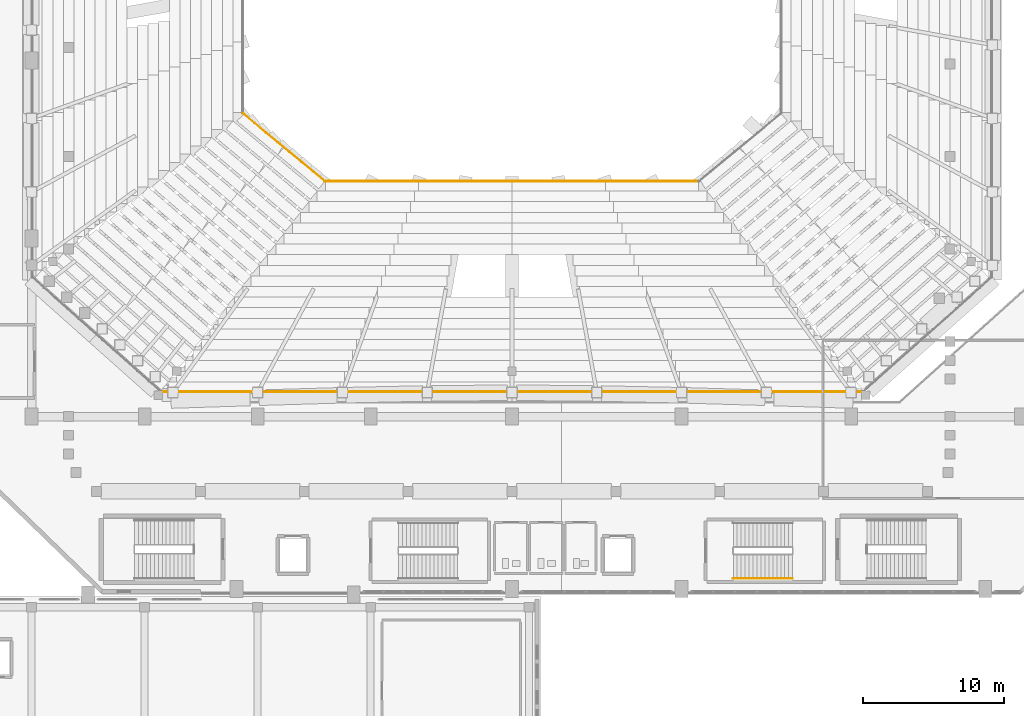
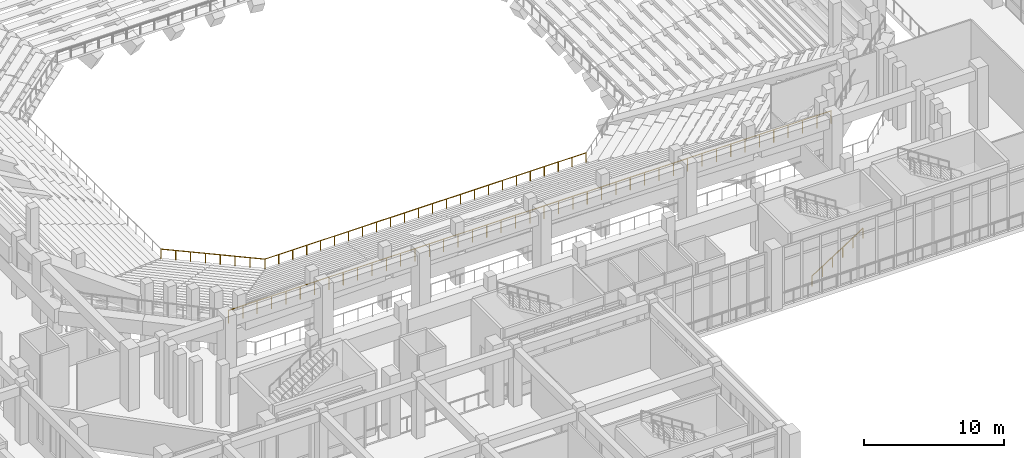
# One storey, part 147 of 159: 4 railings.
"""IFC4 building model written with IfcOpenShell, lengths in metres."""

import ifcopenshell
import ifcopenshell.guid

model = None  # the IFC model being written
_history = None  # IfcOwnerHistory: only IFC2X3 demands one
_inside = {}  # id of a spatial element -> (the spatial element, [elements in it])
_under = {}  # id of a project, library or spatial element -> (it, [spatial elements below it])
_declared = {}  # id of a project -> (the project, [libraries it declares])
_typed = {}  # id of a type object -> (the type object, [elements of that type])
_made_of = {}  # id of a material, layer set ... -> (it, [elements and type objects made of it])


def new_model(schema):
    """Start an empty IFC model of exactly this schema.

    Asked for "IFC4X3", IfcOpenShell would pick the latest addendum, in which some entities
    have other attributes; the version numbers below select the first issue.
    IFC2X3 requires an IfcOwnerHistory on every rooted entity: one is made here for all.
    """
    global model, _history
    if schema == "IFC4X3":
        model = ifcopenshell.file(schema_version=(4, 3, 0, 0))
    else:
        model = ifcopenshell.file(schema=schema)
    _inside.clear()
    _under.clear()
    _declared.clear()
    _typed.clear()
    _made_of.clear()
    _history = None
    if model.schema == "IFC2X3":
        org = make("IfcOrganization", Name="unknown")
        user = make(
            "IfcPersonAndOrganization",
            ThePerson=make("IfcPerson", FamilyName="unknown"),
            TheOrganization=org,
        )
        app = make(
            "IfcApplication",
            ApplicationDeveloper=org,
            Version="unknown",
            ApplicationFullName="unknown",
            ApplicationIdentifier="unknown",
        )
        _history = make(
            "IfcOwnerHistory",
            OwningUser=user,
            OwningApplication=app,
            ChangeAction="ADDED",
            CreationDate=0,
        )
    return model


def make(cls, **values):
    """One entity of the class cls with the attributes given. An attribute that is None is left unset."""
    return model.create_entity(
        cls, **{name: value for name, value in values.items() if value is not None}
    )


def rooted(cls, **values):
    """An entity with a GlobalId (a new one), such as an element, a storey or a relation."""
    return make(cls, GlobalId=ifcopenshell.guid.new(), OwnerHistory=_history, **values)


def si_unit(unit_type, name, prefix=None):
    """IfcSIUnit, for example si_unit("LENGTHUNIT", "METRE", prefix="MILLI")."""
    return make("IfcSIUnit", UnitType=unit_type, Prefix=prefix, Name=name)


def derived_unit(unit_type, elements):
    """IfcDerivedUnit: a product of units, each with its exponent."""
    return make(
        "IfcDerivedUnit",
        Elements=[
            make("IfcDerivedUnitElement", Unit=unit, Exponent=power)
            for unit, power in elements
        ],
        UnitType=unit_type,
    )


def assignment(units):
    """IfcUnitAssignment: the units of a project."""
    return None if units is None else make("IfcUnitAssignment", Units=units)


def point(xyz):
    """IfcCartesianPoint."""
    return None if xyz is None else make("IfcCartesianPoint", Coordinates=xyz)


def direction(xyz):
    """IfcDirection."""
    return None if xyz is None else make("IfcDirection", DirectionRatios=xyz)


def frame(location, z_axis=None, x_axis=None):
    """IfcAxis2Placement3D, a coordinate frame: its origin and axes. An axis left out is left unset."""
    return make(
        "IfcAxis2Placement3D",
        Location=point(location),
        Axis=direction(z_axis),
        RefDirection=direction(x_axis),
    )


def frame_2d(location, x_axis=None):
    """IfcAxis2Placement2D, a coordinate frame in the plane: its origin and x axis."""
    return make(
        "IfcAxis2Placement2D", Location=point(location), RefDirection=direction(x_axis)
    )


def origin():
    """The frame at (0, 0, 0) with its axes left unset."""
    return frame((0.0, 0.0, 0.0))


def origin_2d():
    """The frame at (0, 0) in the plane with its x axis left unset."""
    return frame_2d((0.0, 0.0))


def place(relative_to, where):
    """IfcLocalPlacement: puts the frame where relative to a parent placement (None: the world)."""
    return make(
        "IfcLocalPlacement", PlacementRelTo=relative_to, RelativePlacement=where
    )


def context(
    kind, dimensions, precision=None, world=None, true_north=None, identifier=None
):
    """IfcGeometricRepresentationContext, for example the 3D "Model" context."""
    return make(
        "IfcGeometricRepresentationContext",
        ContextIdentifier=identifier,
        ContextType=kind,
        CoordinateSpaceDimension=dimensions,
        Precision=precision,
        WorldCoordinateSystem=world,
        TrueNorth=true_north,
    )


def subcontext(parent, identifier, kind, view, scale=None):
    """IfcGeometricRepresentationSubContext, for example "Body" below "Model"."""
    return make(
        "IfcGeometricRepresentationSubContext",
        ContextIdentifier=identifier,
        ContextType=kind,
        ParentContext=parent,
        TargetScale=scale,
        TargetView=view,
    )


def project(units=None, contexts=None):
    """IfcProject with its units and contexts."""
    return rooted(
        "IfcProject",
        Name="project",
        RepresentationContexts=contexts,
        UnitsInContext=assignment(units),
    )


def spatial(cls, under=None, at=None, **own):
    """A site, building, storey or space (cls), placed at a placement, below another one or the project."""
    s = rooted(cls, ObjectPlacement=at, **own)
    if under is not None:
        _under.setdefault(under.id(), (under, []))[1].append(s)
    return s


def profile(cls, at=None, kind="AREA", **sizes):
    """A parametric profile (cls). Its sizes go by their IFC names, for example OverallWidth=200.0."""
    return make(cls, ProfileType=kind, Position=at, **sizes)


def circle(**sizes):
    """IfcCircleProfileDef."""
    return profile("IfcCircleProfileDef", **sizes)


def extrude(swept, where, along, depth):
    """IfcExtrudedAreaSolid: the profile swept, set in the frame where, extruded along a direction by depth."""
    return make(
        "IfcExtrudedAreaSolid",
        SweptArea=swept,
        Position=where,
        ExtrudedDirection=direction(along),
        Depth=depth,
    )


def shape(context_of_items, identifier, shape_type, items):
    """IfcShapeRepresentation: the items that make up one representation, for example the "Body"."""
    return make(
        "IfcShapeRepresentation",
        ContextOfItems=context_of_items,
        RepresentationIdentifier=identifier,
        RepresentationType=shape_type,
        Items=items,
    )


def material(Name=None, Category=None):
    """IfcMaterial."""
    return make("IfcMaterial", Name=Name, Category=Category)


def made_of(thing, what):
    """Note that an element or type object is made of a material, layer set ...; save() writes the relation."""
    if what is not None:
        _made_of.setdefault(what.id(), (what, []))[1].append(thing)
    return thing


def type_object(cls, material=None, **own):
    """A type object (cls), such as IfcWallType, which elements share."""
    return made_of(rooted(cls, **own), material)


def element(
    cls,
    number,
    at=None,
    inside=None,
    cuts=None,
    type_object=None,
    material=None,
    context=None,
    identifier="Body",
    shape_type=None,
    held_by="IfcProductDefinitionShape",
    body=None,
    shapes=None,
    **own,
):
    """One element of the class cls, such as IfcWall. Its Tag is "e" and its number.

    at: its placement. inside: the storey or other place that contains it. cuts: it is an
    opening in that element (IfcRelVoidsElement). A single representation is given by context,
    identifier, shape_type and body (its items); several are given by shapes. held_by: the class
    of the entity that holds the representations. save() writes the other relations.
    """
    e = rooted(cls, Tag="e%d" % number, ObjectPlacement=at, **own)
    if body is not None:
        shapes = [shape(context, identifier, shape_type, body)]
    if shapes is not None:
        e.Representation = make(held_by, Representations=shapes)
    if inside is not None:
        _inside.setdefault(inside.id(), (inside, []))[1].append(e)
    if cuts is not None:
        rooted(
            "IfcRelVoidsElement", RelatingBuildingElement=cuts, RelatedOpeningElement=e
        )
    if type_object is not None:
        _typed.setdefault(type_object.id(), (type_object, []))[1].append(e)
    return made_of(e, material)


def aggregate(whole, parts):
    """IfcRelAggregates: a whole, such as a stair, and the parts it consists of."""
    return rooted("IfcRelAggregates", RelatingObject=whole, RelatedObjects=parts)


def save(model, path):
    """Write the relations noted so far, then the file.

    IfcRelAggregates (storeys below a building ...), IfcRelContainedInSpatialStructure (elements
    in a storey), IfcRelDefinesByType, IfcRelAssociatesMaterial and IfcRelDeclares: one each for
    every whole, place, type object, material and project.
    """
    for whole, parts in _under.values():
        aggregate(whole, parts)
    for where, things in _inside.values():
        rooted(
            "IfcRelContainedInSpatialStructure",
            RelatedElements=things,
            RelatingStructure=where,
        )
    for kind, things in _typed.values():
        rooted("IfcRelDefinesByType", RelatedObjects=things, RelatingType=kind)
    for what, things in _made_of.values():
        rooted("IfcRelAssociatesMaterial", RelatedObjects=things, RelatingMaterial=what)
    for by, libraries in _declared.values():
        rooted("IfcRelDeclares", RelatingContext=by, RelatedDefinitions=libraries)
    model.write(path)


model = new_model("IFC4")

# Units and contexts
model_context = context("Model", 3, precision=1e-05, world=origin(), true_north=direction((0.0, 1.0)))
body_context = subcontext(model_context, "Body", "Model", "MODEL_VIEW")
ifc_project = project(units=[si_unit("LENGTHUNIT", "METRE"), si_unit("AREAUNIT", "SQUARE_METRE"), si_unit("VOLUMEUNIT", "CUBIC_METRE"), si_unit("PLANEANGLEUNIT", "RADIAN"), si_unit("MASSUNIT", "GRAM", prefix="KILO"), derived_unit("THERMALTRANSMITTANCEUNIT", [(si_unit("MASSUNIT", "GRAM", prefix="KILO"), 1), (si_unit("TIMEUNIT", "SECOND"), -3), (si_unit("THERMODYNAMICTEMPERATUREUNIT", "KELVIN"), -1)])], contexts=[model_context])

# Site, building, storey
site_placement = place(None, origin())
site = spatial("IfcSite", under=ifc_project, at=site_placement, CompositionType="ELEMENT")
building_placement = place(site_placement, origin())
building = spatial("IfcBuilding", under=site, at=building_placement, Name="Valcora Ridge Arena", CompositionType="ELEMENT")
storey_placement = place(building_placement, frame((0.0, 0.0, 6.0)))
storey = spatial("IfcBuildingStorey", under=building, at=storey_placement, Name="L01", CompositionType="ELEMENT", Elevation=6.0)

# Railings
ifc_material = material(Name="Galvanized painted steel ASTM A500 Grade B", Category="steel")
railing_type_1 = type_object("IfcRailingType", Name="TY-RAILING-BAL-BOWL-850", PredefinedType="BALUSTRADE", material=ifc_material)
railing_1_placement = place(storey_placement, frame((44.75, 49.25, -5.39990234375)))
element("IfcRailing", 1, at=railing_1_placement, inside=storey, type_object=railing_type_1, Name="BAL-BOWL-850 RAL-BW-0001", PredefinedType="BALUSTRADE", context=body_context, shape_type="SweptSolid", body=[
    extrude(circle(Radius=0.02392578125, at=origin_2d()), frame((0.0, 0.0, 0.826171875), z_axis=(1.0, 0.0, 0.0), x_axis=(0.0, 1.0, 0.0)), (0.0, 0.0, 1.0), 26.5),
    extrude(circle(Radius=0.02099609375, at=origin_2d()), origin(), (0.0, 0.0, 1.0), 0.802001953125),
    extrude(circle(Radius=0.02099609375, at=origin_2d()), frame((1.152099609375, 0.0, 0.0)), (0.0, 0.0, 1.0), 0.802001953125),
    extrude(circle(Radius=0.02099609375, at=origin_2d()), frame((2.304443359375, 0.0, 0.0)), (0.0, 0.0, 1.0), 0.802001953125),
    extrude(circle(Radius=0.02099609375, at=origin_2d()), frame((3.45654296875, 0.0, 0.0)), (0.0, 0.0, 1.0), 0.802001953125),
    extrude(circle(Radius=0.02099609375, at=origin_2d()), frame((4.608642578125, 0.0, 0.0)), (0.0, 0.0, 1.0), 0.802001953125),
    extrude(circle(Radius=0.02099609375, at=origin_2d()), frame((5.760986328125, 0.0, 0.0)), (0.0, 0.0, 1.0), 0.802001953125),
    extrude(circle(Radius=0.02099609375, at=origin_2d()), frame((6.9130859375, 0.0, 0.0)), (0.0, 0.0, 1.0), 0.802001953125),
    extrude(circle(Radius=0.02099609375, at=origin_2d()), frame((8.065185546875, 0.0, 0.0)), (0.0, 0.0, 1.0), 0.802001953125),
    extrude(circle(Radius=0.02099609375, at=origin_2d()), frame((9.21728515625, 0.0, 0.0)), (0.0, 0.0, 1.0), 0.802001953125),
    extrude(circle(Radius=0.02099609375, at=origin_2d()), frame((10.36962890625, 0.0, 0.0)), (0.0, 0.0, 1.0), 0.802001953125),
    extrude(circle(Radius=0.02099609375, at=origin_2d()), frame((11.521728515625, 0.0, 0.0)), (0.0, 0.0, 1.0), 0.802001953125),
    extrude(circle(Radius=0.02099609375, at=origin_2d()), frame((12.673828125, 0.0, 0.0)), (0.0, 0.0, 1.0), 0.802001953125),
    extrude(circle(Radius=0.02099609375, at=origin_2d()), frame((13.826171875, 0.0, 0.0)), (0.0, 0.0, 1.0), 0.802001953125),
    extrude(circle(Radius=0.02099609375, at=origin_2d()), frame((14.978271484375, 0.0, 0.0)), (0.0, 0.0, 1.0), 0.802001953125),
    extrude(circle(Radius=0.02099609375, at=origin_2d()), frame((16.13037109375, 0.0, 0.0)), (0.0, 0.0, 1.0), 0.802001953125),
    extrude(circle(Radius=0.02099609375, at=origin_2d()), frame((17.28271484375, 0.0, 0.0)), (0.0, 0.0, 1.0), 0.802001953125),
    extrude(circle(Radius=0.02099609375, at=origin_2d()), frame((18.434814453125, 0.0, 0.0)), (0.0, 0.0, 1.0), 0.802001953125),
    extrude(circle(Radius=0.02099609375, at=origin_2d()), frame((19.5869140625, 0.0, 0.0)), (0.0, 0.0, 1.0), 0.802001953125),
    extrude(circle(Radius=0.02099609375, at=origin_2d()), frame((20.739013671875, 0.0, 0.0)), (0.0, 0.0, 1.0), 0.802001953125),
    extrude(circle(Radius=0.02099609375, at=origin_2d()), frame((21.891357421875, 0.0, 0.0)), (0.0, 0.0, 1.0), 0.802001953125),
    extrude(circle(Radius=0.02099609375, at=origin_2d()), frame((23.04345703125, 0.0, 0.0)), (0.0, 0.0, 1.0), 0.802001953125),
    extrude(circle(Radius=0.02099609375, at=origin_2d()), frame((24.195556640625, 0.0, 0.0)), (0.0, 0.0, 1.0), 0.802001953125),
    extrude(circle(Radius=0.02099609375, at=origin_2d()), frame((25.347900390625, 0.0, 0.0)), (0.0, 0.0, 1.0), 0.802001953125),
    extrude(circle(Radius=0.02099609375, at=origin_2d()), frame((26.5, 0.0, 0.0)), (0.0, 0.0, 1.0), 0.802001953125),
])
railing_2_placement = place(storey_placement, frame((38.949951171875, 54.050048828125, -5.39990234375)))
element("IfcRailing", 2, at=railing_2_placement, inside=storey, type_object=railing_type_1, Name="BAL-BOWL-850 RAL-BW-0008", PredefinedType="BALUSTRADE", context=body_context, shape_type="SweptSolid", body=[
    extrude(circle(Radius=0.02392578125, at=origin_2d()), frame((0.0, 0.0, 0.826171875), z_axis=(0.770393771884, -0.6375683777, 0.0), x_axis=(0.6375683777, 0.770393771884, 0.0)), (0.0, 0.0, 1.0), 7.528564453125),
    extrude(circle(Radius=0.02099609375, at=origin_2d()), origin(), (0.0, 0.0, 1.0), 0.802001953125),
    extrude(circle(Radius=0.02099609375, at=origin_2d()), frame((0.82861328125, -0.685791015625, 0.0)), (0.0, 0.0, 1.0), 0.802001953125),
    extrude(circle(Radius=0.02099609375, at=origin_2d()), frame((1.6572265625, -1.371337890625, 0.0)), (0.0, 0.0, 1.0), 0.802001953125),
    extrude(circle(Radius=0.02099609375, at=origin_2d()), frame((2.48583984375, -2.05712890625, 0.0)), (0.0, 0.0, 1.0), 0.802001953125),
    extrude(circle(Radius=0.02099609375, at=origin_2d()), frame((3.314208984375, -2.742919921875, 0.0)), (0.0, 0.0, 1.0), 0.802001953125),
    extrude(circle(Radius=0.02099609375, at=origin_2d()), frame((4.142822265625, -3.4287109375, 0.0)), (0.0, 0.0, 1.0), 0.802001953125),
    extrude(circle(Radius=0.02099609375, at=origin_2d()), frame((4.971435546875, -4.1142578125, 0.0)), (0.0, 0.0, 1.0), 0.802001953125),
    extrude(circle(Radius=0.02099609375, at=origin_2d()), frame((5.800048828125, -4.800048828125, 0.0)), (0.0, 0.0, 1.0), 0.802001953125),
])
railing_type_2 = type_object("IfcRailingType", Name="TY-RAILING-GRD-VOID-1120", PredefinedType="GUARDRAIL", material=ifc_material)
railing_3_placement = place(storey_placement, frame((33.14990234375, 34.35009765625, 2.9599609375)))
element("IfcRailing", 3, at=railing_3_placement, inside=storey, type_object=railing_type_2, Name="GRD-VOID-1120 RAL-BW-0009", PredefinedType="GUARDRAIL", context=body_context, shape_type="SweptSolid", body=[
    extrude(circle(Radius=0.02392578125, at=origin_2d()), frame((0.0, 0.0, 1.09619140625), z_axis=(1.0, 0.0, 0.0), x_axis=(0.0, 1.0, 0.0)), (0.0, 0.0, 1.0), 49.7001953125),
    extrude(circle(Radius=0.02099609375, at=origin_2d()), origin(), (0.0, 0.0, 1.0), 1.072021484375),
    extrude(circle(Radius=0.02099609375, at=origin_2d()), frame((1.183349609375, 0.0, 0.0)), (0.0, 0.0, 1.0), 1.072021484375),
    extrude(circle(Radius=0.02099609375, at=origin_2d()), frame((2.36669921875, 0.0, 0.0)), (0.0, 0.0, 1.0), 1.072021484375),
    extrude(circle(Radius=0.02099609375, at=origin_2d()), frame((3.550048828125, 0.0, 0.0)), (0.0, 0.0, 1.0), 1.072021484375),
    extrude(circle(Radius=0.02099609375, at=origin_2d()), frame((4.7333984375, 0.0, 0.0)), (0.0, 0.0, 1.0), 1.072021484375),
    extrude(circle(Radius=0.02099609375, at=origin_2d()), frame((5.916748046875, 0.0, 0.0)), (0.0, 0.0, 1.0), 1.072021484375),
    extrude(circle(Radius=0.02099609375, at=origin_2d()), frame((7.10009765625, 0.0, 0.0)), (0.0, 0.0, 1.0), 1.072021484375),
    extrude(circle(Radius=0.02099609375, at=origin_2d()), frame((8.283447265625, 0.0, 0.0)), (0.0, 0.0, 1.0), 1.072021484375),
    extrude(circle(Radius=0.02099609375, at=origin_2d()), frame((9.466796875, 0.0, 0.0)), (0.0, 0.0, 1.0), 1.072021484375),
    extrude(circle(Radius=0.02099609375, at=origin_2d()), frame((10.650146484375, 0.0, 0.0)), (0.0, 0.0, 1.0), 1.072021484375),
    extrude(circle(Radius=0.02099609375, at=origin_2d()), frame((11.83349609375, 0.0, 0.0)), (0.0, 0.0, 1.0), 1.072021484375),
    extrude(circle(Radius=0.02099609375, at=origin_2d()), frame((13.0166015625, 0.0, 0.0)), (0.0, 0.0, 1.0), 1.072021484375),
    extrude(circle(Radius=0.02099609375, at=origin_2d()), frame((14.199951171875, 0.0, 0.0)), (0.0, 0.0, 1.0), 1.072021484375),
    extrude(circle(Radius=0.02099609375, at=origin_2d()), frame((15.38330078125, 0.0, 0.0)), (0.0, 0.0, 1.0), 1.072021484375),
    extrude(circle(Radius=0.02099609375, at=origin_2d()), frame((16.566650390625, 0.0, 0.0)), (0.0, 0.0, 1.0), 1.072021484375),
    extrude(circle(Radius=0.02099609375, at=origin_2d()), frame((17.75, 0.0, 0.0)), (0.0, 0.0, 1.0), 1.072021484375),
    extrude(circle(Radius=0.02099609375, at=origin_2d()), frame((18.933349609375, 0.0, 0.0)), (0.0, 0.0, 1.0), 1.072021484375),
    extrude(circle(Radius=0.02099609375, at=origin_2d()), frame((20.11669921875, 0.0, 0.0)), (0.0, 0.0, 1.0), 1.072021484375),
    extrude(circle(Radius=0.02099609375, at=origin_2d()), frame((21.300048828125, 0.0, 0.0)), (0.0, 0.0, 1.0), 1.072021484375),
    extrude(circle(Radius=0.02099609375, at=origin_2d()), frame((22.4833984375, 0.0, 0.0)), (0.0, 0.0, 1.0), 1.072021484375),
    extrude(circle(Radius=0.02099609375, at=origin_2d()), frame((23.666748046875, 0.0, 0.0)), (0.0, 0.0, 1.0), 1.072021484375),
    extrude(circle(Radius=0.02099609375, at=origin_2d()), frame((24.85009765625, 0.0, 0.0)), (0.0, 0.0, 1.0), 1.072021484375),
    extrude(circle(Radius=0.02099609375, at=origin_2d()), frame((26.033447265625, 0.0, 0.0)), (0.0, 0.0, 1.0), 1.072021484375),
    extrude(circle(Radius=0.02099609375, at=origin_2d()), frame((27.216796875, 0.0, 0.0)), (0.0, 0.0, 1.0), 1.072021484375),
    extrude(circle(Radius=0.02099609375, at=origin_2d()), frame((28.400146484375, 0.0, 0.0)), (0.0, 0.0, 1.0), 1.072021484375),
    extrude(circle(Radius=0.02099609375, at=origin_2d()), frame((29.58349609375, 0.0, 0.0)), (0.0, 0.0, 1.0), 1.072021484375),
    extrude(circle(Radius=0.02099609375, at=origin_2d()), frame((30.766845703125, 0.0, 0.0)), (0.0, 0.0, 1.0), 1.072021484375),
    extrude(circle(Radius=0.02099609375, at=origin_2d()), frame((31.9501953125, 0.0, 0.0)), (0.0, 0.0, 1.0), 1.072021484375),
    extrude(circle(Radius=0.02099609375, at=origin_2d()), frame((33.133544921875, 0.0, 0.0)), (0.0, 0.0, 1.0), 1.072021484375),
    extrude(circle(Radius=0.02099609375, at=origin_2d()), frame((34.31689453125, 0.0, 0.0)), (0.0, 0.0, 1.0), 1.072021484375),
    extrude(circle(Radius=0.02099609375, at=origin_2d()), frame((35.500244140625, 0.0, 0.0)), (0.0, 0.0, 1.0), 1.072021484375),
    extrude(circle(Radius=0.02099609375, at=origin_2d()), frame((36.68359375, 0.0, 0.0)), (0.0, 0.0, 1.0), 1.072021484375),
    extrude(circle(Radius=0.02099609375, at=origin_2d()), frame((37.86669921875, 0.0, 0.0)), (0.0, 0.0, 1.0), 1.072021484375),
    extrude(circle(Radius=0.02099609375, at=origin_2d()), frame((39.050048828125, 0.0, 0.0)), (0.0, 0.0, 1.0), 1.072021484375),
    extrude(circle(Radius=0.02099609375, at=origin_2d()), frame((40.2333984375, 0.0, 0.0)), (0.0, 0.0, 1.0), 1.072021484375),
    extrude(circle(Radius=0.02099609375, at=origin_2d()), frame((41.416748046875, 0.0, 0.0)), (0.0, 0.0, 1.0), 1.072021484375),
    extrude(circle(Radius=0.02099609375, at=origin_2d()), frame((42.60009765625, 0.0, 0.0)), (0.0, 0.0, 1.0), 1.072021484375),
    extrude(circle(Radius=0.02099609375, at=origin_2d()), frame((43.783447265625, 0.0, 0.0)), (0.0, 0.0, 1.0), 1.072021484375),
    extrude(circle(Radius=0.02099609375, at=origin_2d()), frame((44.966796875, 0.0, 0.0)), (0.0, 0.0, 1.0), 1.072021484375),
    extrude(circle(Radius=0.02099609375, at=origin_2d()), frame((46.150146484375, 0.0, 0.0)), (0.0, 0.0, 1.0), 1.072021484375),
    extrude(circle(Radius=0.02099609375, at=origin_2d()), frame((47.33349609375, 0.0, 0.0)), (0.0, 0.0, 1.0), 1.072021484375),
    extrude(circle(Radius=0.02099609375, at=origin_2d()), frame((48.516845703125, 0.0, 0.0)), (0.0, 0.0, 1.0), 1.072021484375),
    extrude(circle(Radius=0.02099609375, at=origin_2d()), frame((49.7001953125, 0.0, 0.0)), (0.0, 0.0, 1.0), 1.072021484375),
])
railing_type_3 = type_object("IfcRailingType", Name="TY-RAILING-HR-STAIR-900", PredefinedType="HANDRAIL", material=ifc_material)
railing_4_placement = place(storey_placement, frame((73.659912109375, 21.139892578125, 0.0)))
element("IfcRailing", 4, at=railing_4_placement, inside=storey, type_object=railing_type_3, Name="HR-STAIR-900 RAL-SH-0107", PredefinedType="HANDRAIL", context=body_context, shape_type="SweptSolid", body=[
    extrude(circle(Radius=0.02392578125, at=origin_2d()), frame((0.0, 0.0, 0.8759765625), z_axis=(0.841194361566, 0.0, 0.540732878665), x_axis=(0.0, 1.0, 0.0)), (0.0, 0.0, 1.0), 4.9931640625),
    extrude(circle(Radius=0.02099609375, at=origin_2d()), origin(), (0.0, 0.0, 1.0), 0.851806640625),
    extrude(circle(Radius=0.02099609375, at=origin_2d()), frame((0.840087890625, 0.0, 0.5400390625)), (0.0, 0.0, 1.0), 0.851806640625),
    extrude(circle(Radius=0.02099609375, at=origin_2d()), frame((1.68017578125, 0.0, 1.080078125)), (0.0, 0.0, 1.0), 0.851806640625),
    extrude(circle(Radius=0.02099609375, at=origin_2d()), frame((2.52001953125, 0.0, 1.619873046875)), (0.0, 0.0, 1.0), 0.851806640625),
    extrude(circle(Radius=0.02099609375, at=origin_2d()), frame((3.360107421875, 0.0, 2.159912109375)), (0.0, 0.0, 1.0), 0.851806640625),
    extrude(circle(Radius=0.02099609375, at=origin_2d()), frame((4.2001953125, 0.0, 2.699951171875)), (0.0, 0.0, 1.0), 0.851806640625),
])

save(model, "model.ifc")
